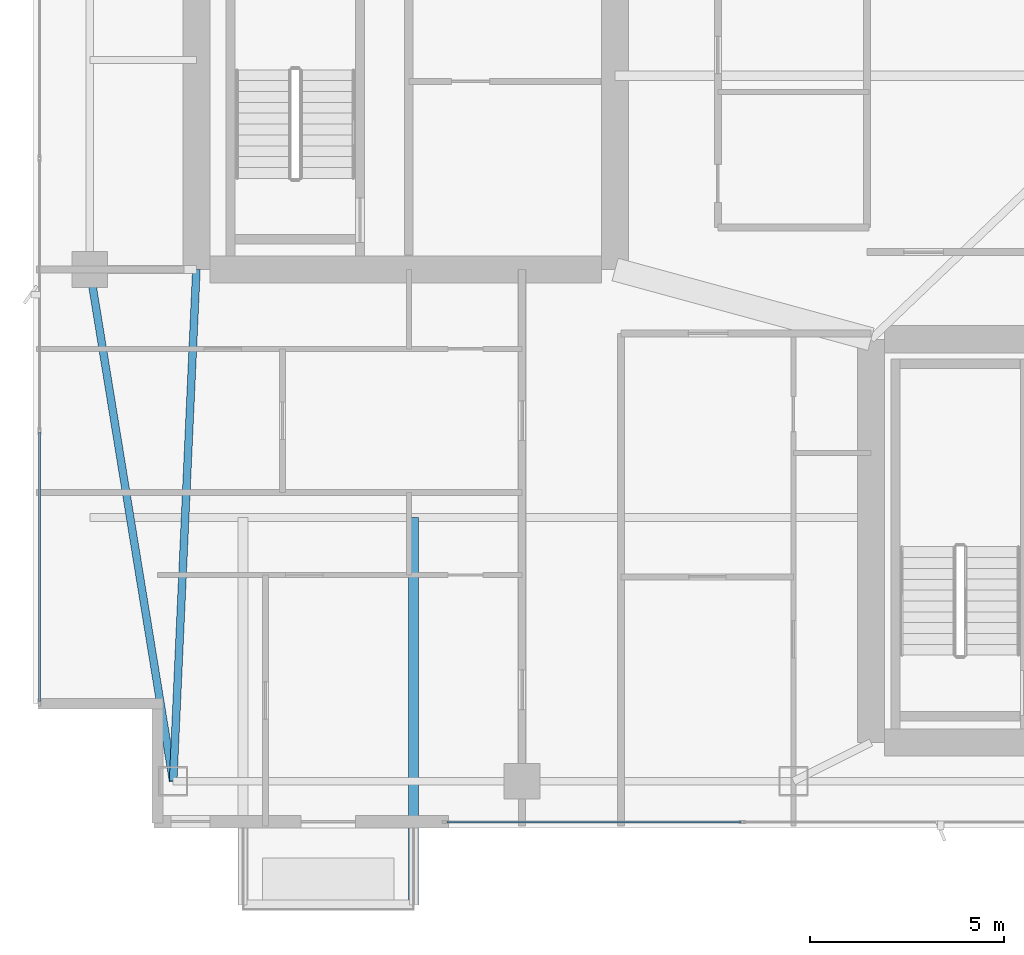
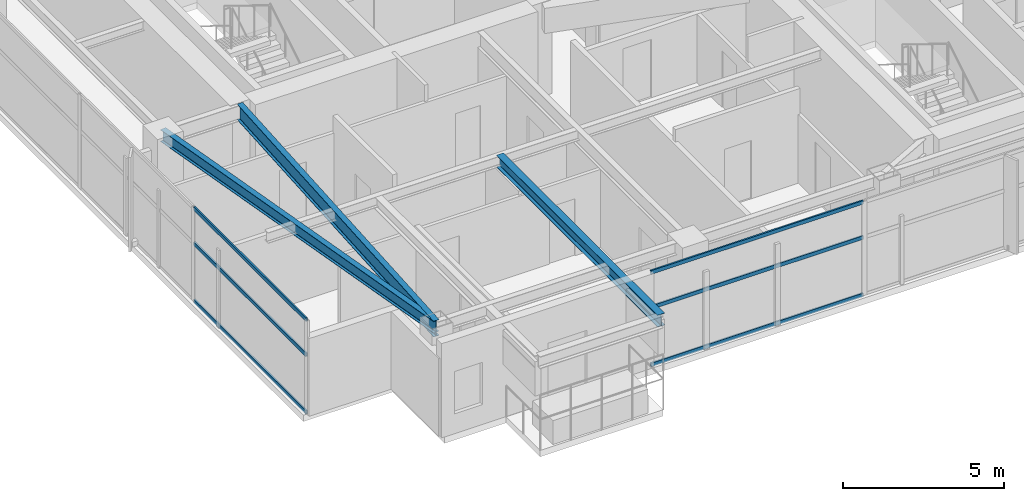
# One storey, part 3 of 30: 6 members, 3 beams, 2 elements without a shape of their own.
"""IFC4 building model written with IfcOpenShell, lengths in metres."""

from ifc_helpers import new_model, si_unit, direction, frame, origin, origin_2d, place, context, subcontext, project, spatial, hollow_rectangle, i_section, extrude, material, layer, layer_set, material_profile, profile_set, type_object, element, aggregate, save


model = new_model("IFC4")

# Units and contexts
model_context = context("Model", 3, precision=1e-05, world=origin(), true_north=direction((0.0, 1.0)))
body_context = subcontext(model_context, "Body", "Model", "MODEL_VIEW")
ifc_project = project(units=[si_unit("LENGTHUNIT", "METRE"), si_unit("AREAUNIT", "SQUARE_METRE"), si_unit("VOLUMEUNIT", "CUBIC_METRE"), si_unit("PLANEANGLEUNIT", "RADIAN"), si_unit("MASSUNIT", "GRAM", prefix="KILO")], contexts=[model_context])

# Site, building, storey
site_placement = place(None, origin())
site = spatial("IfcSite", under=ifc_project, at=site_placement, CompositionType="ELEMENT")
building_placement = place(site_placement, origin())
building = spatial("IfcBuilding", under=site, at=building_placement, Name="Calvorn Quay Hotel", CompositionType="ELEMENT")
storey_placement = place(building_placement, frame((0.0, 0.0, 207.199951171875)))
storey = spatial("IfcBuildingStorey", under=building, at=storey_placement, Name="L51", CompositionType="ELEMENT", Elevation=207.199951171875)

# Beams
ifc_material_1 = material(Name="Steel Q355B", Category="steel")
ifc_material_profile_1 = material_profile(ifc_material_1, i_section(OverallWidth=0.25, OverallDepth=0.449951171875, WebThickness=0.011962890625, FlangeThickness=0.01611328125, FilletRadius=0.01611328125, at=origin_2d()), Name="HN450x250x12x16")
ifc_profile_set_1 = profile_set([ifc_material_profile_1], Name="Steel Q355B")
beam_type_1 = type_object("IfcBeamType", Name="BM-CANT-BALC", PredefinedType="BEAM", material=ifc_profile_set_1)
beam_1_placement = place(storey_placement, frame((9.800048828125, 10.39990234375, 3.31494140625), z_axis=(0.0, -1.0, 0.0), x_axis=(1.0, 0.0, 0.0)))
element("IfcBeam", 1, at=beam_1_placement, inside=storey, type_object=beam_type_1, Name="Cantilever Balcony Beam BCB-L52-2B", PredefinedType="BEAM", context=body_context, shape_type="SweptSolid", body=[
    extrude(i_section(OverallWidth=0.25, OverallDepth=0.449951171875, WebThickness=0.011962890625, FlangeThickness=0.01611328125, FilletRadius=0.01611328125, at=origin_2d()), origin(), (0.0, 0.0, 1.0), 9.989990234375),
])
ifc_material_2 = material(Name="Steel Q355B", Category="steel")
ifc_material_profile_2 = material_profile(ifc_material_2, i_section(OverallWidth=0.199951171875, OverallDepth=0.60009765625, WebThickness=0.010986328125, FlangeThickness=0.01708984375, FilletRadius=0.01806640625, at=origin_2d()), Name="HN600x200x11x17")
ifc_profile_set_2 = profile_set([ifc_material_profile_2], Name="Steel Q355B")
beam_type_2 = type_object("IfcBeamType", Name="BM-GIRD-TYP", PredefinedType="BEAM", material=ifc_profile_set_2)
beam_2_placement = place(storey_placement, frame((3.60009765625, 3.60009765625, 3.239990234375), z_axis=(0.045396765494, 0.998969035397, 0.0), x_axis=(-0.998969035397, 0.045396765494, 0.0)))
element("IfcBeam", 2, at=beam_2_placement, inside=storey, type_object=beam_type_2, Name="Beam BG-L51-W0", PredefinedType="BEAM", context=body_context, shape_type="SweptSolid", body=[
    extrude(i_section(OverallWidth=0.199951171875, OverallDepth=0.60009765625, WebThickness=0.010986328125, FlangeThickness=0.01708984375, FilletRadius=0.01806640625, at=origin_2d()), origin(), (0.0, 0.0, 1.0), 13.213623046875),
])
ifc_material_3 = material(Name="Steel Q355B", Category="steel")
ifc_material_profile_3 = material_profile(ifc_material_3, i_section(OverallWidth=0.199951171875, OverallDepth=0.449951171875, WebThickness=0.009033203125, FlangeThickness=0.013916015625, FilletRadius=0.01611328125, at=origin_2d()), Name="HN450x200x9x14")
ifc_profile_set_3 = profile_set([ifc_material_profile_3], Name="Steel Q355B")
beam_type_3 = type_object("IfcBeamType", Name="BM-SPANDREL-Z3", PredefinedType="SPANDREL", material=ifc_profile_set_3)
beam_3_placement = place(storey_placement, frame((3.60009765625, 3.60009765625, 3.31494140625), z_axis=(-0.16077155054, 0.986991645627, 0.0), x_axis=(-0.986991645627, -0.16077155054, 0.0)))
element("IfcBeam", 3, at=beam_3_placement, inside=storey, type_object=beam_type_3, Name="Beam BSP-L51-W1", PredefinedType="SPANDREL", context=body_context, shape_type="SweptSolid", body=[
    extrude(i_section(OverallWidth=0.199951171875, OverallDepth=0.449951171875, WebThickness=0.009033203125, FlangeThickness=0.013916015625, FilletRadius=0.01611328125, at=origin_2d()), origin(), (0.0, 0.0, 1.0), 13.3740234375),
])

# Curtain wall, members
ifc_material_4 = material(Name="Champagne Bronze Anodised Aluminium and Low-E Glass", Category="aluminium")
ifc_layer = layer(ifc_material_4, 0.219970703125)
ifc_layer_set = layer_set([ifc_layer], Name="CW-SYS-Z3")
curtain_wall_type = type_object("IfcCurtainWallType", Name="CW-SYS-Z3", PredefinedType="NOTDEFINED", material=ifc_layer_set)
curtain_wall_1_placement = place(storey_placement, origin())
curtain_wall_1 = element("IfcCurtainWall", 4, at=curtain_wall_1_placement, inside=storey, type_object=curtain_wall_type, Name="Tower West Curtain Wall (L51)", PredefinedType="NOTDEFINED")
ifc_material_5 = material(Name="Champagne Bronze Anodised Aluminium 6063-T6", Category="aluminium")
ifc_material_profile_4 = material_profile(ifc_material_5, hollow_rectangle(XDim=0.05810546875, YDim=0.139892578125, WallThickness=0.003173828125, at=origin_2d()), Name="ALU-T140x58x3.2")
ifc_profile_set_4 = profile_set([ifc_material_profile_4], Name="Champagne Bronze Anodised Aluminium 6063-T6")
member_type = type_object("IfcMemberType", Name="CW-SYS-Z3-TRN", PredefinedType="USERDEFINED", material=ifc_profile_set_4)
member_1_placement = place(storey_placement, frame((0.14990234375, 5.659912109375, 0.030029296875), z_axis=(0.0, 1.0, 0.0), x_axis=(-1.0, 0.0, 0.0)))
member_1 = element("IfcMember", 5, at=member_1_placement, type_object=member_type, Name="CW-L51-W transom 1.1", ObjectType="TRANSOM", PredefinedType="USERDEFINED", context=body_context, shape_type="SweptSolid", body=[
    extrude(hollow_rectangle(XDim=0.05810546875, YDim=0.139892578125, WallThickness=0.003173828125, at=origin_2d()), origin(), (0.0, 0.0, 1.0), 6.943359375),
])
member_2_placement = place(storey_placement, frame((0.14990234375, 5.659912109375, 2.199951171875), z_axis=(0.0, 1.0, 0.0), x_axis=(-1.0, 0.0, 0.0)))
member_2 = element("IfcMember", 6, at=member_2_placement, type_object=member_type, Name="CW-L51-W transom 1.2", ObjectType="TRANSOM", PredefinedType="USERDEFINED", context=body_context, shape_type="SweptSolid", body=[
    extrude(hollow_rectangle(XDim=0.05810546875, YDim=0.139892578125, WallThickness=0.003173828125, at=origin_2d()), origin(), (0.0, 0.0, 1.0), 6.943359375),
])
member_3_placement = place(storey_placement, frame((0.14990234375, 5.659912109375, 3.530029296875), z_axis=(0.0, 1.0, 0.0), x_axis=(-1.0, 0.0, 0.0)))
member_3 = element("IfcMember", 7, at=member_3_placement, type_object=member_type, Name="CW-L51-W transom 1.3", ObjectType="TRANSOM", PredefinedType="USERDEFINED", context=body_context, shape_type="SweptSolid", body=[
    extrude(hollow_rectangle(XDim=0.05810546875, YDim=0.139892578125, WallThickness=0.003173828125, at=origin_2d()), origin(), (0.0, 0.0, 1.0), 6.943359375),
])
aggregate(curtain_wall_1, [member_1, member_2, member_3])

curtain_wall_2_placement = place(storey_placement, origin())
curtain_wall_2 = element("IfcCurtainWall", 8, at=curtain_wall_2_placement, inside=storey, type_object=curtain_wall_type, Name="Tower South Waterfront Curtain Wall (L51)", PredefinedType="NOTDEFINED")
member_4_placement = place(storey_placement, frame((10.659912109375, 2.550048828125, 0.030029296875), z_axis=(1.0, 0.0, 0.0), x_axis=(0.0, 1.0, 0.0)))
member_4 = element("IfcMember", 9, at=member_4_placement, type_object=member_type, Name="CW-L51-S transom 1.1", ObjectType="TRANSOM", PredefinedType="USERDEFINED", context=body_context, shape_type="SweptSolid", body=[
    extrude(hollow_rectangle(XDim=0.05810546875, YDim=0.139892578125, WallThickness=0.003173828125, at=origin_2d()), origin(), (0.0, 0.0, 1.0), 7.590087890625),
])
member_5_placement = place(storey_placement, frame((10.659912109375, 2.550048828125, 2.199951171875), z_axis=(1.0, 0.0, 0.0), x_axis=(0.0, 1.0, 0.0)))
member_5 = element("IfcMember", 10, at=member_5_placement, type_object=member_type, Name="CW-L51-S transom 1.2", ObjectType="TRANSOM", PredefinedType="USERDEFINED", context=body_context, shape_type="SweptSolid", body=[
    extrude(hollow_rectangle(XDim=0.05810546875, YDim=0.139892578125, WallThickness=0.003173828125, at=origin_2d()), origin(), (0.0, 0.0, 1.0), 7.590087890625),
])
member_6_placement = place(storey_placement, frame((10.659912109375, 2.550048828125, 3.530029296875), z_axis=(1.0, 0.0, 0.0), x_axis=(0.0, 1.0, 0.0)))
member_6 = element("IfcMember", 11, at=member_6_placement, type_object=member_type, Name="CW-L51-S transom 1.3", ObjectType="TRANSOM", PredefinedType="USERDEFINED", context=body_context, shape_type="SweptSolid", body=[
    extrude(hollow_rectangle(XDim=0.05810546875, YDim=0.139892578125, WallThickness=0.003173828125, at=origin_2d()), origin(), (0.0, 0.0, 1.0), 7.590087890625),
])
aggregate(curtain_wall_2, [member_4, member_5, member_6])

save(model, "model.ifc")
